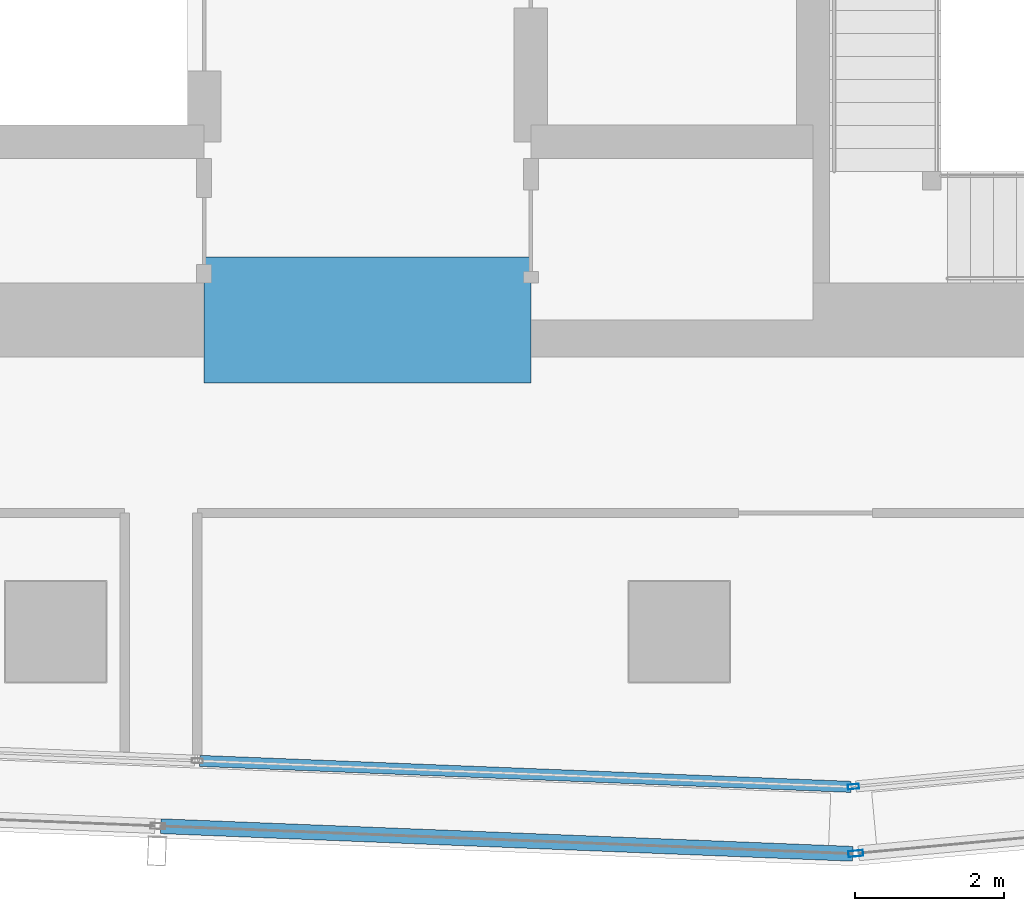
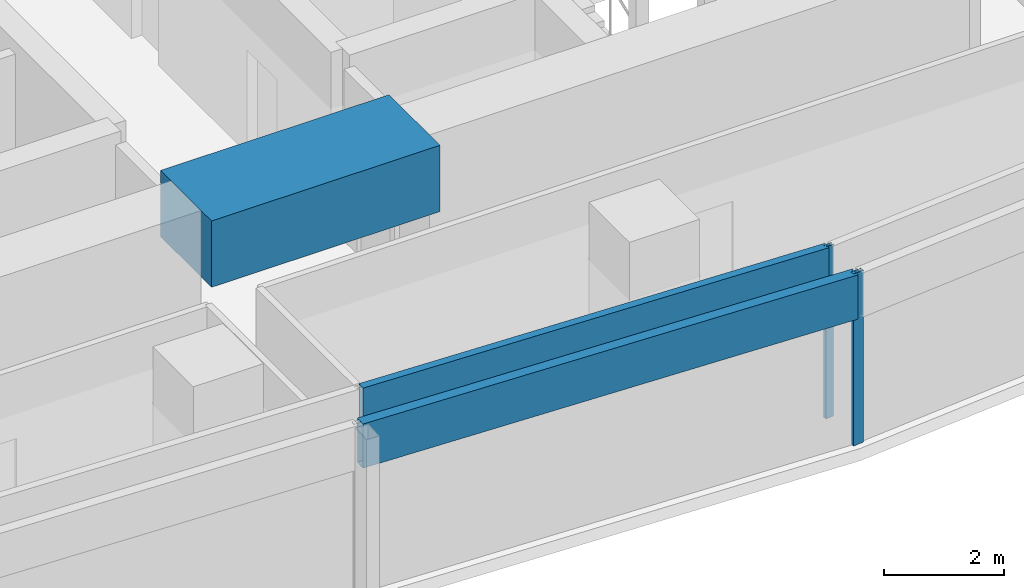
# One storey, part 10 of 38: 4 members, 1 beam, 4 elements without a shape of their own.
"""IFC4 building model written with IfcOpenShell, lengths in metres."""

from ifc_helpers import new_model, si_unit, direction, frame, origin, origin_2d, place, context, subcontext, project, spatial, rectangle, hollow_rectangle, extrude, material, material_profile, profile_set, type_object, element, aggregate, save


model = new_model("IFC4")

# Units and contexts
model_context = context("Model", 3, precision=1e-05, world=origin(), true_north=direction((0.0, 1.0)))
body_context = subcontext(model_context, "Body", "Model", "MODEL_VIEW")
ifc_project = project(units=[si_unit("LENGTHUNIT", "METRE"), si_unit("AREAUNIT", "SQUARE_METRE"), si_unit("VOLUMEUNIT", "CUBIC_METRE"), si_unit("PLANEANGLEUNIT", "RADIAN"), si_unit("MASSUNIT", "GRAM", prefix="KILO")], contexts=[model_context])

# Site, building, storey
site_placement = place(None, origin())
site = spatial("IfcSite", under=ifc_project, at=site_placement, CompositionType="ELEMENT")
building_placement = place(site_placement, origin())
building = spatial("IfcBuilding", under=site, at=building_placement, Name="Rekha Terrace Tower", CompositionType="ELEMENT")
storey_placement = place(building_placement, frame((0.0, 0.0, 198.949951171875)))
storey = spatial("IfcBuildingStorey", under=building, at=storey_placement, Name="L50", CompositionType="ELEMENT", Elevation=198.949951171875)

# Curtain wall, member
ifc_material_1 = material(Name="Aluminium framing", Category="aluminium")
curtain_wall_type_1 = type_object("IfcCurtainWallType", Name="CW1 double skin inner glazing", PredefinedType="USERDEFINED", material=ifc_material_1)
curtain_wall_1_placement = place(storey_placement, origin())
curtain_wall_1 = element("IfcCurtainWall", 1, at=curtain_wall_1_placement, inside=storey, type_object=curtain_wall_type_1, Name="CW1 double skin inner glazing", ObjectType="DOUBLE SKIN INNER GLAZING", PredefinedType="USERDEFINED")
ifc_material_2 = material(Name="Aluminium mullion section", Category="aluminium")
ifc_material_profile_1 = material_profile(ifc_material_2, hollow_rectangle(XDim=0.06494140625, YDim=0.14990234375, WallThickness=0.00390625, at=origin_2d()), Name="AL RHS 65x150")
ifc_profile_set_1 = profile_set([ifc_material_profile_1], Name="Aluminium mullion section")
member_type_1 = type_object("IfcMemberType", Name="CW1 mullion RHS 65 x 150", PredefinedType="MULLION", material=ifc_profile_set_1)
member_1_placement = place(storey_placement, frame((44.34423828125, 14.715087890625, 0.0), z_axis=(0.0, 0.0, 1.0), x_axis=(-0.092708869564, 0.995693258742, 0.0)))
member_1 = element("IfcMember", 2, at=member_1_placement, type_object=member_type_1, Name="CW1 mullion 1", PredefinedType="MULLION", context=body_context, shape_type="SweptSolid", body=[
    extrude(hollow_rectangle(XDim=0.06494140625, YDim=0.14990234375, WallThickness=0.00390625, at=origin_2d()), origin(), (0.0, 0.0, 1.0), 3.5),
])
aggregate(curtain_wall_1, [member_1])

curtain_wall_2_placement = place(storey_placement, origin())
curtain_wall_2 = element("IfcCurtainWall", 3, at=curtain_wall_2_placement, inside=storey, type_object=curtain_wall_type_1, Name="CW1 double skin inner glazing", ObjectType="DOUBLE SKIN INNER GLAZING", PredefinedType="USERDEFINED")
ifc_material_3 = material(Name="Insulated aluminium spandrel box", Category="aluminium")
ifc_material_profile_2 = material_profile(ifc_material_3, hollow_rectangle(XDim=0.14990234375, YDim=0.89990234375, WallThickness=0.0029296875, at=origin_2d()), Name="AL SPANDREL BOX 150x900")
ifc_profile_set_2 = profile_set([ifc_material_profile_2], Name="Insulated aluminium spandrel box")
member_type_2 = type_object("IfcMemberType", Name="CW1 spandrel transom 150 x 900", PredefinedType="USERDEFINED", material=ifc_profile_set_2)
member_2_placement = place(storey_placement, frame((35.5400390625, 15.06201171875, 3.050048828125), z_axis=(0.999204464505, -0.039880297311, 0.0), x_axis=(0.039880297311, 0.999204464505, 0.0)))
member_2 = element("IfcMember", 4, at=member_2_placement, type_object=member_type_2, Name="CW1 spandrel transom 4", ObjectType="TRANSOM", PredefinedType="USERDEFINED", context=body_context, shape_type="SweptSolid", body=[
    extrude(hollow_rectangle(XDim=0.14990234375, YDim=0.89990234375, WallThickness=0.0029296875, at=origin_2d()), origin(), (0.0, 0.0, 1.0), 8.77880859375),
])
aggregate(curtain_wall_2, [member_2])

curtain_wall_type_2 = type_object("IfcCurtainWallType", Name="CW2 double skin outer glazing", PredefinedType="USERDEFINED", material=ifc_material_1)
curtain_wall_3_placement = place(storey_placement, origin())
curtain_wall_3 = element("IfcCurtainWall", 5, at=curtain_wall_3_placement, inside=storey, type_object=curtain_wall_type_2, Name="CW2 double skin outer glazing", ObjectType="DOUBLE SKIN OUTER GLAZING", PredefinedType="USERDEFINED")
ifc_material_profile_3 = material_profile(ifc_material_2, hollow_rectangle(XDim=0.080078125, YDim=0.199951171875, WallThickness=0.00390625, at=origin_2d()), Name="AL RHS 80x200")
ifc_profile_set_3 = profile_set([ifc_material_profile_3], Name="Aluminium mullion section")
member_type_3 = type_object("IfcMemberType", Name="CW2 mullion RHS 80 x 200", PredefinedType="MULLION", material=ifc_profile_set_3)
member_3_placement = place(storey_placement, frame((44.37548828125, 13.81396484375, 0.0), z_axis=(0.0, 0.0, 1.0), x_axis=(-0.092708869512, 0.995693258747, 0.0)))
member_3 = element("IfcMember", 6, at=member_3_placement, type_object=member_type_3, Name="CW2 mullion 1", PredefinedType="MULLION", context=body_context, shape_type="SweptSolid", body=[
    extrude(hollow_rectangle(XDim=0.080078125, YDim=0.199951171875, WallThickness=0.00390625, at=origin_2d()), origin(), (0.0, 0.0, 1.0), 3.5),
])
aggregate(curtain_wall_3, [member_3])

curtain_wall_4_placement = place(storey_placement, origin())
curtain_wall_4 = element("IfcCurtainWall", 7, at=curtain_wall_4_placement, inside=storey, type_object=curtain_wall_type_2, Name="CW2 double skin outer glazing", ObjectType="DOUBLE SKIN OUTER GLAZING", PredefinedType="USERDEFINED")
ifc_material_profile_4 = material_profile(ifc_material_3, hollow_rectangle(XDim=0.199951171875, YDim=0.89990234375, WallThickness=0.0029296875, at=origin_2d()), Name="AL SPANDREL BOX 200x900")
ifc_profile_set_4 = profile_set([ifc_material_profile_4], Name="Insulated aluminium spandrel box")
member_type_4 = type_object("IfcMemberType", Name="CW2 spandrel transom 200 x 900", PredefinedType="USERDEFINED", material=ifc_profile_set_4)
member_4_placement = place(storey_placement, frame((35.01708984375, 14.18212890625, 3.050048828125), z_axis=(0.999204884837, -0.039869764458, 0.0), x_axis=(0.039869764458, 0.999204884837, 0.0)))
member_4 = element("IfcMember", 8, at=member_4_placement, type_object=member_type_4, Name="CW2 spandrel transom 4", ObjectType="TRANSOM", PredefinedType="USERDEFINED", context=body_context, shape_type="SweptSolid", body=[
    extrude(hollow_rectangle(XDim=0.199951171875, YDim=0.89990234375, WallThickness=0.0029296875, at=origin_2d()), origin(), (0.0, 0.0, 1.0), 9.325927734375),
])
aggregate(curtain_wall_4, [member_4])

# Beam
ifc_material_4 = material(Name="Concrete M60", Category="concrete")
ifc_material_profile_5 = material_profile(ifc_material_4, rectangle(XDim=1.699951171875, YDim=1.35009765625, at=origin_2d()), Name="RC 1700x1350")
ifc_profile_set_5 = profile_set([ifc_material_profile_5], Name="Concrete M60")
beam_type = type_object("IfcBeamType", Name="LB3A 1700x1350 diagonally reinforced coupling beam", PredefinedType="LINTEL", material=ifc_profile_set_5)
beam_placement = place(storey_placement, frame((35.60009765625, 21.0, 3.074951171875), z_axis=(1.0, 0.0, 0.0), x_axis=(0.0, 1.0, 0.0)))
element("IfcBeam", 9, at=beam_placement, inside=storey, type_object=beam_type, Name="Coupling beam LB3A S L50", PredefinedType="LINTEL", context=body_context, shape_type="SweptSolid", body=[
    extrude(rectangle(XDim=1.699951171875, YDim=1.35009765625, at=origin_2d()), origin(), (0.0, 0.0, 1.0), 4.39990234375),
])

save(model, "model.ifc")
